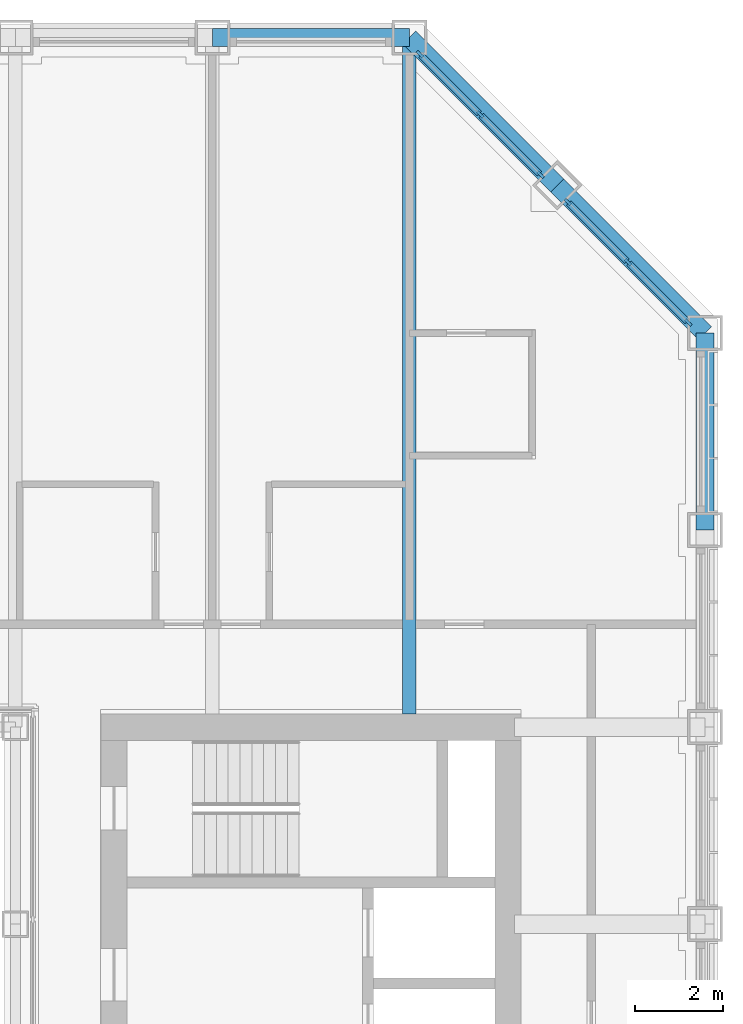
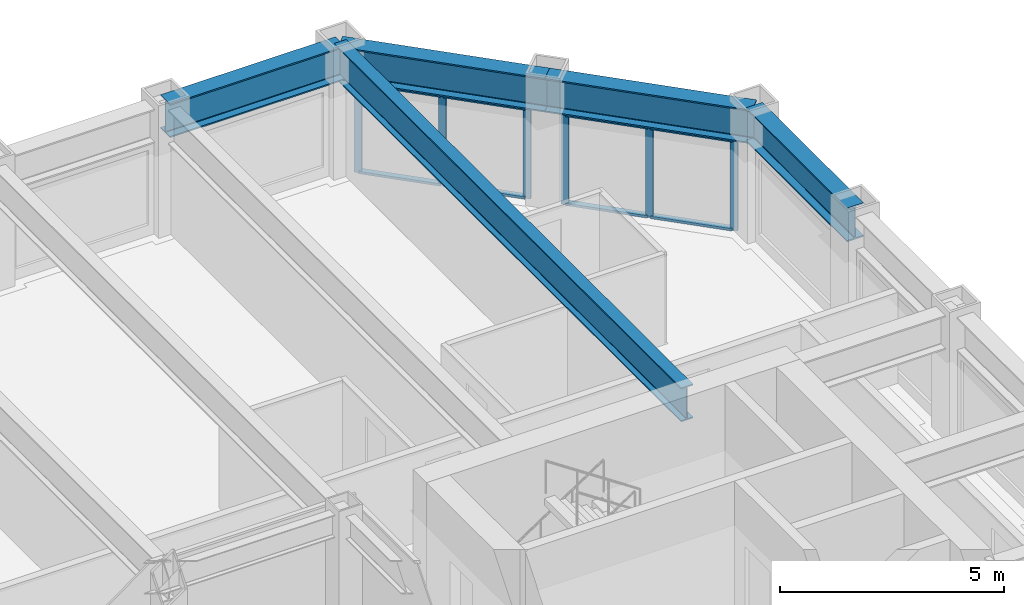
# One storey, part 8 of 17: 14 members, 5 beams, 2 elements without a shape of their own.
"""IFC4 building model written with IfcOpenShell, lengths in metres."""

import ifcopenshell
import ifcopenshell.guid

model = None  # the IFC model being written
_history = None  # IfcOwnerHistory: only IFC2X3 demands one
_inside = {}  # id of a spatial element -> (the spatial element, [elements in it])
_under = {}  # id of a project, library or spatial element -> (it, [spatial elements below it])
_declared = {}  # id of a project -> (the project, [libraries it declares])
_typed = {}  # id of a type object -> (the type object, [elements of that type])
_made_of = {}  # id of a material, layer set ... -> (it, [elements and type objects made of it])


def new_model(schema):
    """Start an empty IFC model of exactly this schema.

    Asked for "IFC4X3", IfcOpenShell would pick the latest addendum, in which some entities
    have other attributes; the version numbers below select the first issue.
    IFC2X3 requires an IfcOwnerHistory on every rooted entity: one is made here for all.
    """
    global model, _history
    if schema == "IFC4X3":
        model = ifcopenshell.file(schema_version=(4, 3, 0, 0))
    else:
        model = ifcopenshell.file(schema=schema)
    _inside.clear()
    _under.clear()
    _declared.clear()
    _typed.clear()
    _made_of.clear()
    _history = None
    if model.schema == "IFC2X3":
        org = make("IfcOrganization", Name="unknown")
        user = make(
            "IfcPersonAndOrganization",
            ThePerson=make("IfcPerson", FamilyName="unknown"),
            TheOrganization=org,
        )
        app = make(
            "IfcApplication",
            ApplicationDeveloper=org,
            Version="unknown",
            ApplicationFullName="unknown",
            ApplicationIdentifier="unknown",
        )
        _history = make(
            "IfcOwnerHistory",
            OwningUser=user,
            OwningApplication=app,
            ChangeAction="ADDED",
            CreationDate=0,
        )
    return model


def make(cls, **values):
    """One entity of the class cls with the attributes given. An attribute that is None is left unset."""
    return model.create_entity(
        cls, **{name: value for name, value in values.items() if value is not None}
    )


def rooted(cls, **values):
    """An entity with a GlobalId (a new one), such as an element, a storey or a relation."""
    return make(cls, GlobalId=ifcopenshell.guid.new(), OwnerHistory=_history, **values)


def si_unit(unit_type, name, prefix=None):
    """IfcSIUnit, for example si_unit("LENGTHUNIT", "METRE", prefix="MILLI")."""
    return make("IfcSIUnit", UnitType=unit_type, Prefix=prefix, Name=name)


def assignment(units):
    """IfcUnitAssignment: the units of a project."""
    return None if units is None else make("IfcUnitAssignment", Units=units)


def point(xyz):
    """IfcCartesianPoint."""
    return None if xyz is None else make("IfcCartesianPoint", Coordinates=xyz)


def direction(xyz):
    """IfcDirection."""
    return None if xyz is None else make("IfcDirection", DirectionRatios=xyz)


def frame(location, z_axis=None, x_axis=None):
    """IfcAxis2Placement3D, a coordinate frame: its origin and axes. An axis left out is left unset."""
    return make(
        "IfcAxis2Placement3D",
        Location=point(location),
        Axis=direction(z_axis),
        RefDirection=direction(x_axis),
    )


def frame_2d(location, x_axis=None):
    """IfcAxis2Placement2D, a coordinate frame in the plane: its origin and x axis."""
    return make(
        "IfcAxis2Placement2D", Location=point(location), RefDirection=direction(x_axis)
    )


def origin():
    """The frame at (0, 0, 0) with its axes left unset."""
    return frame((0.0, 0.0, 0.0))


def origin_2d():
    """The frame at (0, 0) in the plane with its x axis left unset."""
    return frame_2d((0.0, 0.0))


def place(relative_to, where):
    """IfcLocalPlacement: puts the frame where relative to a parent placement (None: the world)."""
    return make(
        "IfcLocalPlacement", PlacementRelTo=relative_to, RelativePlacement=where
    )


def context(
    kind, dimensions, precision=None, world=None, true_north=None, identifier=None
):
    """IfcGeometricRepresentationContext, for example the 3D "Model" context."""
    return make(
        "IfcGeometricRepresentationContext",
        ContextIdentifier=identifier,
        ContextType=kind,
        CoordinateSpaceDimension=dimensions,
        Precision=precision,
        WorldCoordinateSystem=world,
        TrueNorth=true_north,
    )


def subcontext(parent, identifier, kind, view, scale=None):
    """IfcGeometricRepresentationSubContext, for example "Body" below "Model"."""
    return make(
        "IfcGeometricRepresentationSubContext",
        ContextIdentifier=identifier,
        ContextType=kind,
        ParentContext=parent,
        TargetScale=scale,
        TargetView=view,
    )


def project(units=None, contexts=None):
    """IfcProject with its units and contexts."""
    return rooted(
        "IfcProject",
        Name="project",
        RepresentationContexts=contexts,
        UnitsInContext=assignment(units),
    )


def spatial(cls, under=None, at=None, **own):
    """A site, building, storey or space (cls), placed at a placement, below another one or the project."""
    s = rooted(cls, ObjectPlacement=at, **own)
    if under is not None:
        _under.setdefault(under.id(), (under, []))[1].append(s)
    return s


def profile(cls, at=None, kind="AREA", **sizes):
    """A parametric profile (cls). Its sizes go by their IFC names, for example OverallWidth=200.0."""
    return make(cls, ProfileType=kind, Position=at, **sizes)


def rectangle(**sizes):
    """IfcRectangleProfileDef."""
    return profile("IfcRectangleProfileDef", **sizes)


def i_section(**sizes):
    """IfcIShapeProfileDef."""
    return profile("IfcIShapeProfileDef", **sizes)


def extrude(swept, where, along, depth):
    """IfcExtrudedAreaSolid: the profile swept, set in the frame where, extruded along a direction by depth."""
    return make(
        "IfcExtrudedAreaSolid",
        SweptArea=swept,
        Position=where,
        ExtrudedDirection=direction(along),
        Depth=depth,
    )


def shape(context_of_items, identifier, shape_type, items):
    """IfcShapeRepresentation: the items that make up one representation, for example the "Body"."""
    return make(
        "IfcShapeRepresentation",
        ContextOfItems=context_of_items,
        RepresentationIdentifier=identifier,
        RepresentationType=shape_type,
        Items=items,
    )


def material(Name=None, Category=None):
    """IfcMaterial."""
    return make("IfcMaterial", Name=Name, Category=Category)


def material_profile(
    of_material, cross_section, Name=None, Category=None, Priority=None
):
    """IfcMaterialProfile: a cross section and its material."""
    return make(
        "IfcMaterialProfile",
        Name=Name,
        Material=of_material,
        Profile=cross_section,
        Priority=Priority,
        Category=Category,
    )


def profile_set(profiles, Name=None, composite=None):
    """IfcMaterialProfileSet."""
    return make(
        "IfcMaterialProfileSet",
        Name=Name,
        MaterialProfiles=profiles,
        CompositeProfile=composite,
    )


def made_of(thing, what):
    """Note that an element or type object is made of a material, layer set ...; save() writes the relation."""
    if what is not None:
        _made_of.setdefault(what.id(), (what, []))[1].append(thing)
    return thing


def type_object(cls, material=None, **own):
    """A type object (cls), such as IfcWallType, which elements share."""
    return made_of(rooted(cls, **own), material)


def element(
    cls,
    number,
    at=None,
    inside=None,
    cuts=None,
    type_object=None,
    material=None,
    context=None,
    identifier="Body",
    shape_type=None,
    held_by="IfcProductDefinitionShape",
    body=None,
    shapes=None,
    **own,
):
    """One element of the class cls, such as IfcWall. Its Tag is "e" and its number.

    at: its placement. inside: the storey or other place that contains it. cuts: it is an
    opening in that element (IfcRelVoidsElement). A single representation is given by context,
    identifier, shape_type and body (its items); several are given by shapes. held_by: the class
    of the entity that holds the representations. save() writes the other relations.
    """
    e = rooted(cls, Tag="e%d" % number, ObjectPlacement=at, **own)
    if body is not None:
        shapes = [shape(context, identifier, shape_type, body)]
    if shapes is not None:
        e.Representation = make(held_by, Representations=shapes)
    if inside is not None:
        _inside.setdefault(inside.id(), (inside, []))[1].append(e)
    if cuts is not None:
        rooted(
            "IfcRelVoidsElement", RelatingBuildingElement=cuts, RelatedOpeningElement=e
        )
    if type_object is not None:
        _typed.setdefault(type_object.id(), (type_object, []))[1].append(e)
    return made_of(e, material)


def aggregate(whole, parts):
    """IfcRelAggregates: a whole, such as a stair, and the parts it consists of."""
    return rooted("IfcRelAggregates", RelatingObject=whole, RelatedObjects=parts)


def save(model, path):
    """Write the relations noted so far, then the file.

    IfcRelAggregates (storeys below a building ...), IfcRelContainedInSpatialStructure (elements
    in a storey), IfcRelDefinesByType, IfcRelAssociatesMaterial and IfcRelDeclares: one each for
    every whole, place, type object, material and project.
    """
    for whole, parts in _under.values():
        aggregate(whole, parts)
    for where, things in _inside.values():
        rooted(
            "IfcRelContainedInSpatialStructure",
            RelatedElements=things,
            RelatingStructure=where,
        )
    for kind, things in _typed.values():
        rooted("IfcRelDefinesByType", RelatedObjects=things, RelatingType=kind)
    for what, things in _made_of.values():
        rooted("IfcRelAssociatesMaterial", RelatedObjects=things, RelatingMaterial=what)
    for by, libraries in _declared.values():
        rooted("IfcRelDeclares", RelatingContext=by, RelatedDefinitions=libraries)
    model.write(path)


model = new_model("IFC4")

# Units and contexts
model_context = context("Model", 3, precision=1e-05, world=origin(), true_north=direction((0.0, 1.0)))
body_context = subcontext(model_context, "Body", "Model", "MODEL_VIEW")
ifc_project = project(units=[si_unit("LENGTHUNIT", "METRE"), si_unit("AREAUNIT", "SQUARE_METRE"), si_unit("VOLUMEUNIT", "CUBIC_METRE"), si_unit("PLANEANGLEUNIT", "RADIAN"), si_unit("MASSUNIT", "GRAM", prefix="KILO")], contexts=[model_context])

# Site, building, storey
site_placement = place(None, origin())
site = spatial("IfcSite", under=ifc_project, at=site_placement, CompositionType="ELEMENT")
building_placement = place(site_placement, origin())
building = spatial("IfcBuilding", under=site, at=building_placement, Name="Msasa Ring Tower", CompositionType="ELEMENT")
storey_placement = place(building_placement, frame((0.0, 0.0, 132.800048828125)))
storey = spatial("IfcBuildingStorey", under=building, at=storey_placement, Name="L34", CompositionType="ELEMENT", Elevation=132.800048828125)

# Curtain wall, members
ifc_material_1 = material(Name="Aluminium curtain wall with clear glass", Category="aluminium")
curtain_wall_type = type_object("IfcCurtainWallType", Name="CW-C CHAMFER CORNER CURTAIN WALL", PredefinedType="NOTDEFINED", material=ifc_material_1)
curtain_wall_1_placement = place(storey_placement, origin())
curtain_wall_1 = element("IfcCurtainWall", 1, at=curtain_wall_1_placement, inside=storey, type_object=curtain_wall_type, Name="Chamfer corner curtain wall NE L34", PredefinedType="NOTDEFINED")
ifc_material_2 = material(Name="Aluminium mullion", Category="aluminium")
ifc_material_profile_1 = material_profile(ifc_material_2, rectangle(XDim=0.06494140625, YDim=0.179931640625, at=origin_2d()), Name="AL 65x180")
ifc_profile_set_1 = profile_set([ifc_material_profile_1], Name="Aluminium mullion")
member_type_1 = type_object("IfcMemberType", Name="CW-C MULLION 65x180", PredefinedType="MULLION", material=ifc_profile_set_1)
member_1_placement = place(storey_placement, frame((18.744873046875, 19.36376953125, 0.0), z_axis=(0.0, 0.0, 1.0), x_axis=(-0.707106781187, -0.707106781187, 0.0)))
member_1 = element("IfcMember", 2, at=member_1_placement, type_object=member_type_1, Name="CW-C mullion 1", PredefinedType="MULLION", context=body_context, shape_type="SweptSolid", body=[
    extrude(rectangle(XDim=0.06494140625, YDim=0.179931640625, at=origin_2d()), origin(), (0.0, 0.0, 1.0), 2.47900390625),
])
member_2_placement = place(storey_placement, frame((17.36669921875, 20.74169921875, 0.0), z_axis=(0.0, 0.0, 1.0), x_axis=(-0.707106781187, -0.707106781187, 0.0)))
member_2 = element("IfcMember", 3, at=member_2_placement, type_object=member_type_1, Name="CW-C mullion 2", PredefinedType="MULLION", context=body_context, shape_type="SweptSolid", body=[
    extrude(rectangle(XDim=0.06494140625, YDim=0.179931640625, at=origin_2d()), origin(), (0.0, 0.0, 1.0), 2.47900390625),
])
member_3_placement = place(storey_placement, frame((15.98876953125, 22.119873046875, 0.0), z_axis=(0.0, 0.0, 1.0), x_axis=(-0.707106781187, -0.707106781187, 0.0)))
member_3 = element("IfcMember", 4, at=member_3_placement, type_object=member_type_1, Name="CW-C mullion 3", PredefinedType="MULLION", context=body_context, shape_type="SweptSolid", body=[
    extrude(rectangle(XDim=0.06494140625, YDim=0.179931640625, at=origin_2d()), origin(), (0.0, 0.0, 1.0), 2.47900390625),
])

curtain_wall_2_placement = place(storey_placement, origin())
curtain_wall_2 = element("IfcCurtainWall", 5, at=curtain_wall_2_placement, inside=storey, type_object=curtain_wall_type, Name="Chamfer corner curtain wall NE L34", PredefinedType="NOTDEFINED")
member_4_placement = place(storey_placement, frame((22.119873046875, 15.98876953125, 0.0), z_axis=(0.0, 0.0, 1.0), x_axis=(-0.707106781187, -0.707106781187, 0.0)))
member_4 = element("IfcMember", 6, at=member_4_placement, type_object=member_type_1, Name="CW-C mullion 1", PredefinedType="MULLION", context=body_context, shape_type="SweptSolid", body=[
    extrude(rectangle(XDim=0.06494140625, YDim=0.179931640625, at=origin_2d()), origin(), (0.0, 0.0, 1.0), 2.47900390625),
])
member_5_placement = place(storey_placement, frame((20.74169921875, 17.36669921875, 0.0), z_axis=(0.0, 0.0, 1.0), x_axis=(-0.707106781187, -0.707106781187, 0.0)))
member_5 = element("IfcMember", 7, at=member_5_placement, type_object=member_type_1, Name="CW-C mullion 2", PredefinedType="MULLION", context=body_context, shape_type="SweptSolid", body=[
    extrude(rectangle(XDim=0.06494140625, YDim=0.179931640625, at=origin_2d()), origin(), (0.0, 0.0, 1.0), 2.47900390625),
])
member_6_placement = place(storey_placement, frame((19.36376953125, 18.744873046875, 0.0), z_axis=(0.0, 0.0, 1.0), x_axis=(-0.707106781187, -0.707106781187, 0.0)))
member_6 = element("IfcMember", 8, at=member_6_placement, type_object=member_type_1, Name="CW-C mullion 3", PredefinedType="MULLION", context=body_context, shape_type="SweptSolid", body=[
    extrude(rectangle(XDim=0.06494140625, YDim=0.179931640625, at=origin_2d()), origin(), (0.0, 0.0, 1.0), 2.47900390625),
])

# Member
ifc_material_3 = material(Name="Aluminium transom", Category="aluminium")
ifc_material_profile_2 = material_profile(ifc_material_3, rectangle(XDim=0.139892578125, YDim=0.06494140625, at=origin_2d()), Name="AL 65x140")
ifc_profile_set_2 = profile_set([ifc_material_profile_2], Name="Aluminium transom")
member_type_2 = type_object("IfcMemberType", Name="CW-C TRANSOM 65x140", PredefinedType="USERDEFINED", material=ifc_profile_set_2)
member_7_placement = place(storey_placement, frame((18.721923828125, 19.38671875, 0.032470703125), z_axis=(-0.707106781187, 0.707106781187, 0.0), x_axis=(-0.707106781187, -0.707106781187, 0.0)))
member_7 = element("IfcMember", 9, at=member_7_placement, type_object=member_type_2, Name="CW-C transom 1.1", ObjectType="TRANSOM", PredefinedType="USERDEFINED", context=body_context, shape_type="SweptSolid", body=[
    extrude(rectangle(XDim=0.139892578125, YDim=0.06494140625, at=origin_2d()), origin(), (0.0, 0.0, 1.0), 1.8837890625),
])

member_8_placement = place(storey_placement, frame((18.721923828125, 19.38671875, 2.446533203125), z_axis=(-0.707106781187, 0.707106781187, 0.0), x_axis=(-0.707106781187, -0.707106781187, 0.0)))
member_8 = element("IfcMember", 10, at=member_8_placement, type_object=member_type_2, Name="CW-C transom 1.2", ObjectType="TRANSOM", PredefinedType="USERDEFINED", context=body_context, shape_type="SweptSolid", body=[
    extrude(rectangle(XDim=0.139892578125, YDim=0.06494140625, at=origin_2d()), origin(), (0.0, 0.0, 1.0), 1.8837890625),
])

member_9_placement = place(storey_placement, frame((17.34375, 20.764892578125, 0.032470703125), z_axis=(-0.707106781187, 0.707106781187, 0.0), x_axis=(-0.707106781187, -0.707106781187, 0.0)))
member_9 = element("IfcMember", 11, at=member_9_placement, type_object=member_type_2, Name="CW-C transom 2.1", ObjectType="TRANSOM", PredefinedType="USERDEFINED", context=body_context, shape_type="SweptSolid", body=[
    extrude(rectangle(XDim=0.139892578125, YDim=0.06494140625, at=origin_2d()), origin(), (0.0, 0.0, 1.0), 1.8837890625),
])

member_10_placement = place(storey_placement, frame((17.34375, 20.764892578125, 2.446533203125), z_axis=(-0.707106781187, 0.707106781187, 0.0), x_axis=(-0.707106781187, -0.707106781187, 0.0)))
member_10 = element("IfcMember", 12, at=member_10_placement, type_object=member_type_2, Name="CW-C transom 2.2", ObjectType="TRANSOM", PredefinedType="USERDEFINED", context=body_context, shape_type="SweptSolid", body=[
    extrude(rectangle(XDim=0.139892578125, YDim=0.06494140625, at=origin_2d()), origin(), (0.0, 0.0, 1.0), 1.8837890625),
])

aggregate(curtain_wall_1, [member_1, member_2, member_3, member_7, member_8, member_9, member_10])

member_11_placement = place(storey_placement, frame((22.096923828125, 16.01171875, 0.032470703125), z_axis=(-0.707106781187, 0.707106781187, 0.0), x_axis=(-0.707106781187, -0.707106781187, 0.0)))
member_11 = element("IfcMember", 13, at=member_11_placement, type_object=member_type_2, Name="CW-C transom 1.1", ObjectType="TRANSOM", PredefinedType="USERDEFINED", context=body_context, shape_type="SweptSolid", body=[
    extrude(rectangle(XDim=0.139892578125, YDim=0.06494140625, at=origin_2d()), origin(), (0.0, 0.0, 1.0), 1.8837890625),
])

member_12_placement = place(storey_placement, frame((22.096923828125, 16.01171875, 2.446533203125), z_axis=(-0.707106781187, 0.707106781187, 0.0), x_axis=(-0.707106781187, -0.707106781187, 0.0)))
member_12 = element("IfcMember", 14, at=member_12_placement, type_object=member_type_2, Name="CW-C transom 1.2", ObjectType="TRANSOM", PredefinedType="USERDEFINED", context=body_context, shape_type="SweptSolid", body=[
    extrude(rectangle(XDim=0.139892578125, YDim=0.06494140625, at=origin_2d()), origin(), (0.0, 0.0, 1.0), 1.8837890625),
])

member_13_placement = place(storey_placement, frame((20.71875, 17.389892578125, 0.032470703125), z_axis=(-0.707106781187, 0.707106781187, 0.0), x_axis=(-0.707106781187, -0.707106781187, 0.0)))
member_13 = element("IfcMember", 15, at=member_13_placement, type_object=member_type_2, Name="CW-C transom 2.1", ObjectType="TRANSOM", PredefinedType="USERDEFINED", context=body_context, shape_type="SweptSolid", body=[
    extrude(rectangle(XDim=0.139892578125, YDim=0.06494140625, at=origin_2d()), origin(), (0.0, 0.0, 1.0), 1.8837890625),
])

member_14_placement = place(storey_placement, frame((20.71875, 17.389892578125, 2.446533203125), z_axis=(-0.707106781187, 0.707106781187, 0.0), x_axis=(-0.707106781187, -0.707106781187, 0.0)))
member_14 = element("IfcMember", 16, at=member_14_placement, type_object=member_type_2, Name="CW-C transom 2.2", ObjectType="TRANSOM", PredefinedType="USERDEFINED", context=body_context, shape_type="SweptSolid", body=[
    extrude(rectangle(XDim=0.139892578125, YDim=0.06494140625, at=origin_2d()), origin(), (0.0, 0.0, 1.0), 1.8837890625),
])

aggregate(curtain_wall_2, [member_4, member_5, member_6, member_11, member_12, member_13, member_14])

# Beams
ifc_material_4 = material(Name="Steel S355", Category="steel")
ifc_material_profile_3 = material_profile(ifc_material_4, i_section(OverallWidth=0.3076171875, OverallDepth=0.926513671875, WebThickness=0.01953125, FlangeThickness=0.031982421875, FilletRadius=0.01904296875, at=origin_2d()), Name="UB 914x305x289")
ifc_profile_set_3 = profile_set([ifc_material_profile_3], Name="Steel S355")
beam_type_1 = type_object("IfcBeamType", Name="FB3 UB 914x305x289", PredefinedType="BEAM", material=ifc_profile_set_3)
beam_1_placement = place(storey_placement, frame((15.75, 22.5, 2.936767578125), z_axis=(0.0, -1.0, 0.0), x_axis=(1.0, 0.0, 0.0)))
element("IfcBeam", 17, at=beam_1_placement, inside=storey, type_object=beam_type_1, Name="Floor beam N+15.75 under L35", PredefinedType="BEAM", context=body_context, shape_type="SweptSolid", body=[
    extrude(i_section(OverallWidth=0.3076171875, OverallDepth=0.926513671875, WebThickness=0.01953125, FlangeThickness=0.031982421875, FilletRadius=0.01904296875, at=origin_2d()), origin(), (0.0, 0.0, 1.0), 15.449951171875),
])
ifc_material_5 = material(Name="Steel S355", Category="steel")
ifc_material_profile_4 = material_profile(ifc_material_5, i_section(OverallWidth=0.42041015625, OverallDepth=0.9208984375, WebThickness=0.021484375, FlangeThickness=0.03662109375, FilletRadius=0.024169921875, at=origin_2d()), Name="UB 914x419x388")
ifc_profile_set_4 = profile_set([ifc_material_profile_4], Name="Steel S355")
beam_type_2 = type_object("IfcBeamType", Name="SB1 UB 914x419x388", PredefinedType="SPANDREL", material=ifc_profile_set_4)
beam_2_placement = place(storey_placement, frame((22.5, 11.25, 2.939453125), z_axis=(0.0, 1.0, 0.0), x_axis=(-1.0, 0.0, 0.0)))
element("IfcBeam", 18, at=beam_2_placement, inside=storey, type_object=beam_type_2, Name="Spandrel E+11.25 to E+15.75 under L35", PredefinedType="SPANDREL", context=body_context, shape_type="SweptSolid", body=[
    extrude(i_section(OverallWidth=0.42041015625, OverallDepth=0.9208984375, WebThickness=0.021484375, FlangeThickness=0.03662109375, FilletRadius=0.024169921875, at=origin_2d()), origin(), (0.0, 0.0, 1.0), 4.5),
])
for number, where, z_axis, x_axis, name in (
    (19, (22.5, 15.75, 2.939453125), (-0.707106781187, 0.707106781187, 0.0), (-0.707106781187, -0.707106781187, 0.0), "Spandrel E+15.75 to NE under L35"),
    (20, (19.125, 19.125, 2.939453125), (-0.707106781187, 0.707106781187, 0.0), (-0.707106781187, -0.707106781187, 0.0), "Spandrel NE to N+15.75 under L35"),
):
    element("IfcBeam", number, at=place(storey_placement, frame(where, z_axis=z_axis, x_axis=x_axis)), inside=storey, type_object=beam_type_2, Name=name, PredefinedType="SPANDREL", context=body_context, shape_type="SweptSolid", body=[
        extrude(i_section(OverallWidth=0.42041015625, OverallDepth=0.9208984375, WebThickness=0.021484375, FlangeThickness=0.03662109375, FilletRadius=0.024169921875, at=origin_2d()), origin(), (0.0, 0.0, 1.0), 4.77294921875),
    ])
beam_3_placement = place(storey_placement, frame((15.75, 22.5, 2.939453125), z_axis=(-1.0, 0.0, 0.0), x_axis=(0.0, -1.0, 0.0)))
element("IfcBeam", 21, at=beam_3_placement, inside=storey, type_object=beam_type_2, Name="Spandrel N+15.75 to N+11.25 under L35", PredefinedType="SPANDREL", context=body_context, shape_type="SweptSolid", body=[
    extrude(i_section(OverallWidth=0.42041015625, OverallDepth=0.9208984375, WebThickness=0.021484375, FlangeThickness=0.03662109375, FilletRadius=0.024169921875, at=origin_2d()), origin(), (0.0, 0.0, 1.0), 4.5),
])

save(model, "model.ifc")
